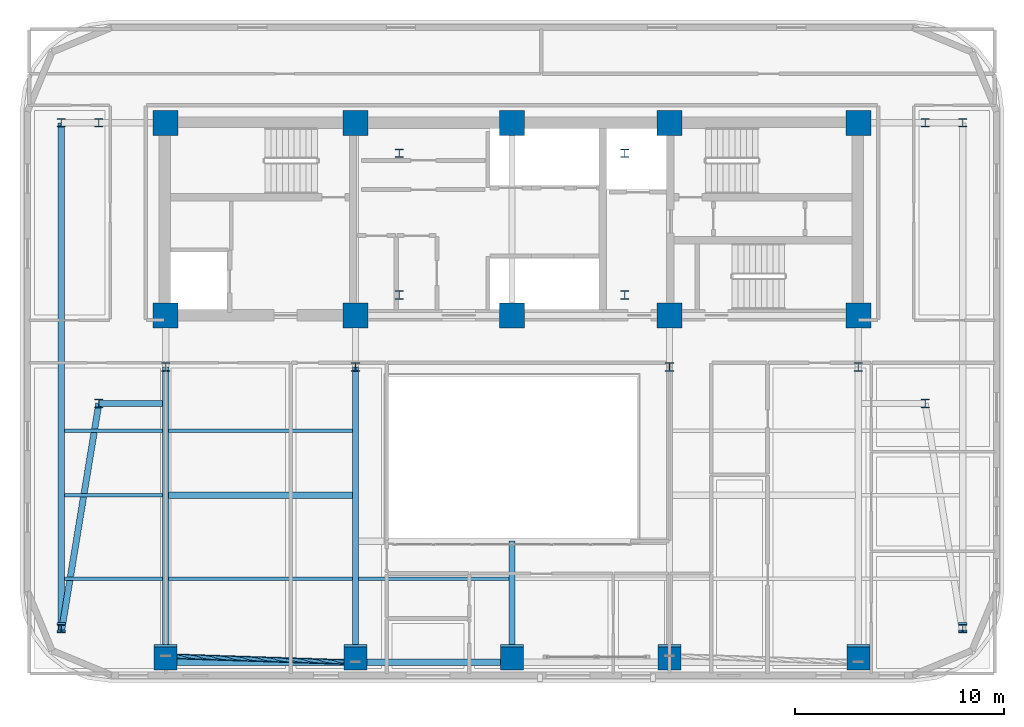
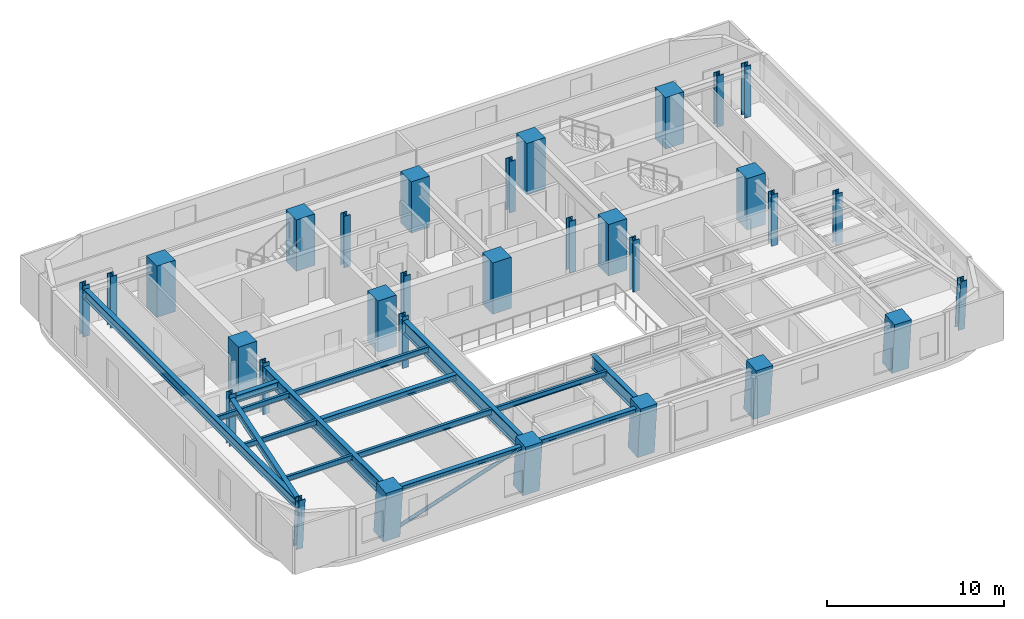
# One storey, part 1 of 13: 31 columns, 15 beams, 1 member.
"""IFC4 building model written with IfcOpenShell, lengths in metres."""

import ifcopenshell
import ifcopenshell.guid

model = None  # the IFC model being written
_history = None  # IfcOwnerHistory: only IFC2X3 demands one
_inside = {}  # id of a spatial element -> (the spatial element, [elements in it])
_under = {}  # id of a project, library or spatial element -> (it, [spatial elements below it])
_declared = {}  # id of a project -> (the project, [libraries it declares])
_typed = {}  # id of a type object -> (the type object, [elements of that type])
_made_of = {}  # id of a material, layer set ... -> (it, [elements and type objects made of it])


def new_model(schema):
    """Start an empty IFC model of exactly this schema.

    Asked for "IFC4X3", IfcOpenShell would pick the latest addendum, in which some entities
    have other attributes; the version numbers below select the first issue.
    IFC2X3 requires an IfcOwnerHistory on every rooted entity: one is made here for all.
    """
    global model, _history
    if schema == "IFC4X3":
        model = ifcopenshell.file(schema_version=(4, 3, 0, 0))
    else:
        model = ifcopenshell.file(schema=schema)
    _inside.clear()
    _under.clear()
    _declared.clear()
    _typed.clear()
    _made_of.clear()
    _history = None
    if model.schema == "IFC2X3":
        org = make("IfcOrganization", Name="unknown")
        user = make(
            "IfcPersonAndOrganization",
            ThePerson=make("IfcPerson", FamilyName="unknown"),
            TheOrganization=org,
        )
        app = make(
            "IfcApplication",
            ApplicationDeveloper=org,
            Version="unknown",
            ApplicationFullName="unknown",
            ApplicationIdentifier="unknown",
        )
        _history = make(
            "IfcOwnerHistory",
            OwningUser=user,
            OwningApplication=app,
            ChangeAction="ADDED",
            CreationDate=0,
        )
    return model


def make(cls, **values):
    """One entity of the class cls with the attributes given. An attribute that is None is left unset."""
    return model.create_entity(
        cls, **{name: value for name, value in values.items() if value is not None}
    )


def rooted(cls, **values):
    """An entity with a GlobalId (a new one), such as an element, a storey or a relation."""
    return make(cls, GlobalId=ifcopenshell.guid.new(), OwnerHistory=_history, **values)


def si_unit(unit_type, name, prefix=None):
    """IfcSIUnit, for example si_unit("LENGTHUNIT", "METRE", prefix="MILLI")."""
    return make("IfcSIUnit", UnitType=unit_type, Prefix=prefix, Name=name)


def assignment(units):
    """IfcUnitAssignment: the units of a project."""
    return None if units is None else make("IfcUnitAssignment", Units=units)


def point(xyz):
    """IfcCartesianPoint."""
    return None if xyz is None else make("IfcCartesianPoint", Coordinates=xyz)


def direction(xyz):
    """IfcDirection."""
    return None if xyz is None else make("IfcDirection", DirectionRatios=xyz)


def frame(location, z_axis=None, x_axis=None):
    """IfcAxis2Placement3D, a coordinate frame: its origin and axes. An axis left out is left unset."""
    return make(
        "IfcAxis2Placement3D",
        Location=point(location),
        Axis=direction(z_axis),
        RefDirection=direction(x_axis),
    )


def frame_2d(location, x_axis=None):
    """IfcAxis2Placement2D, a coordinate frame in the plane: its origin and x axis."""
    return make(
        "IfcAxis2Placement2D", Location=point(location), RefDirection=direction(x_axis)
    )


def origin():
    """The frame at (0, 0, 0) with its axes left unset."""
    return frame((0.0, 0.0, 0.0))


def origin_2d():
    """The frame at (0, 0) in the plane with its x axis left unset."""
    return frame_2d((0.0, 0.0))


def place(relative_to, where):
    """IfcLocalPlacement: puts the frame where relative to a parent placement (None: the world)."""
    return make(
        "IfcLocalPlacement", PlacementRelTo=relative_to, RelativePlacement=where
    )


def context(
    kind, dimensions, precision=None, world=None, true_north=None, identifier=None
):
    """IfcGeometricRepresentationContext, for example the 3D "Model" context."""
    return make(
        "IfcGeometricRepresentationContext",
        ContextIdentifier=identifier,
        ContextType=kind,
        CoordinateSpaceDimension=dimensions,
        Precision=precision,
        WorldCoordinateSystem=world,
        TrueNorth=true_north,
    )


def subcontext(parent, identifier, kind, view, scale=None):
    """IfcGeometricRepresentationSubContext, for example "Body" below "Model"."""
    return make(
        "IfcGeometricRepresentationSubContext",
        ContextIdentifier=identifier,
        ContextType=kind,
        ParentContext=parent,
        TargetScale=scale,
        TargetView=view,
    )


def project(units=None, contexts=None):
    """IfcProject with its units and contexts."""
    return rooted(
        "IfcProject",
        Name="project",
        RepresentationContexts=contexts,
        UnitsInContext=assignment(units),
    )


def spatial(cls, under=None, at=None, **own):
    """A site, building, storey or space (cls), placed at a placement, below another one or the project."""
    s = rooted(cls, ObjectPlacement=at, **own)
    if under is not None:
        _under.setdefault(under.id(), (under, []))[1].append(s)
    return s


def profile(cls, at=None, kind="AREA", **sizes):
    """A parametric profile (cls). Its sizes go by their IFC names, for example OverallWidth=200.0."""
    return make(cls, ProfileType=kind, Position=at, **sizes)


def rectangle(**sizes):
    """IfcRectangleProfileDef."""
    return profile("IfcRectangleProfileDef", **sizes)


def hollow_circle(**sizes):
    """IfcCircleHollowProfileDef."""
    return profile("IfcCircleHollowProfileDef", **sizes)


def i_section(**sizes):
    """IfcIShapeProfileDef."""
    return profile("IfcIShapeProfileDef", **sizes)


def extrude(swept, where, along, depth):
    """IfcExtrudedAreaSolid: the profile swept, set in the frame where, extruded along a direction by depth."""
    return make(
        "IfcExtrudedAreaSolid",
        SweptArea=swept,
        Position=where,
        ExtrudedDirection=direction(along),
        Depth=depth,
    )


def shape(context_of_items, identifier, shape_type, items):
    """IfcShapeRepresentation: the items that make up one representation, for example the "Body"."""
    return make(
        "IfcShapeRepresentation",
        ContextOfItems=context_of_items,
        RepresentationIdentifier=identifier,
        RepresentationType=shape_type,
        Items=items,
    )


def material(Name=None, Category=None):
    """IfcMaterial."""
    return make("IfcMaterial", Name=Name, Category=Category)


def material_profile(
    of_material, cross_section, Name=None, Category=None, Priority=None
):
    """IfcMaterialProfile: a cross section and its material."""
    return make(
        "IfcMaterialProfile",
        Name=Name,
        Material=of_material,
        Profile=cross_section,
        Priority=Priority,
        Category=Category,
    )


def profile_set(profiles, Name=None, composite=None):
    """IfcMaterialProfileSet."""
    return make(
        "IfcMaterialProfileSet",
        Name=Name,
        MaterialProfiles=profiles,
        CompositeProfile=composite,
    )


def made_of(thing, what):
    """Note that an element or type object is made of a material, layer set ...; save() writes the relation."""
    if what is not None:
        _made_of.setdefault(what.id(), (what, []))[1].append(thing)
    return thing


def type_object(cls, material=None, **own):
    """A type object (cls), such as IfcWallType, which elements share."""
    return made_of(rooted(cls, **own), material)


def element(
    cls,
    number,
    at=None,
    inside=None,
    cuts=None,
    type_object=None,
    material=None,
    context=None,
    identifier="Body",
    shape_type=None,
    held_by="IfcProductDefinitionShape",
    body=None,
    shapes=None,
    **own,
):
    """One element of the class cls, such as IfcWall. Its Tag is "e" and its number.

    at: its placement. inside: the storey or other place that contains it. cuts: it is an
    opening in that element (IfcRelVoidsElement). A single representation is given by context,
    identifier, shape_type and body (its items); several are given by shapes. held_by: the class
    of the entity that holds the representations. save() writes the other relations.
    """
    e = rooted(cls, Tag="e%d" % number, ObjectPlacement=at, **own)
    if body is not None:
        shapes = [shape(context, identifier, shape_type, body)]
    if shapes is not None:
        e.Representation = make(held_by, Representations=shapes)
    if inside is not None:
        _inside.setdefault(inside.id(), (inside, []))[1].append(e)
    if cuts is not None:
        rooted(
            "IfcRelVoidsElement", RelatingBuildingElement=cuts, RelatedOpeningElement=e
        )
    if type_object is not None:
        _typed.setdefault(type_object.id(), (type_object, []))[1].append(e)
    return made_of(e, material)


def aggregate(whole, parts):
    """IfcRelAggregates: a whole, such as a stair, and the parts it consists of."""
    return rooted("IfcRelAggregates", RelatingObject=whole, RelatedObjects=parts)


def save(model, path):
    """Write the relations noted so far, then the file.

    IfcRelAggregates (storeys below a building ...), IfcRelContainedInSpatialStructure (elements
    in a storey), IfcRelDefinesByType, IfcRelAssociatesMaterial and IfcRelDeclares: one each for
    every whole, place, type object, material and project.
    """
    for whole, parts in _under.values():
        aggregate(whole, parts)
    for where, things in _inside.values():
        rooted(
            "IfcRelContainedInSpatialStructure",
            RelatedElements=things,
            RelatingStructure=where,
        )
    for kind, things in _typed.values():
        rooted("IfcRelDefinesByType", RelatedObjects=things, RelatingType=kind)
    for what, things in _made_of.values():
        rooted("IfcRelAssociatesMaterial", RelatedObjects=things, RelatingMaterial=what)
    for by, libraries in _declared.values():
        rooted("IfcRelDeclares", RelatingContext=by, RelatedDefinitions=libraries)
    model.write(path)


model = new_model("IFC4")

# Units and contexts
model_context = context("Model", 3, precision=1e-05, world=origin(), true_north=direction((0.0, 1.0)))
body_context = subcontext(model_context, "Body", "Model", "MODEL_VIEW")
ifc_project = project(units=[si_unit("LENGTHUNIT", "METRE"), si_unit("AREAUNIT", "SQUARE_METRE"), si_unit("VOLUMEUNIT", "CUBIC_METRE"), si_unit("PLANEANGLEUNIT", "RADIAN"), si_unit("MASSUNIT", "GRAM", prefix="KILO")], contexts=[model_context])

# Site, building, storey
site_placement = place(None, origin())
site = spatial("IfcSite", under=ifc_project, at=site_placement, CompositionType="ELEMENT")
building_placement = place(site_placement, origin())
building = spatial("IfcBuilding", under=site, at=building_placement, Name="Zarnavel Station Tower", CompositionType="ELEMENT")
storey_placement = place(building_placement, frame((0.0, 0.0, 162.550048828125)))
storey = spatial("IfcBuildingStorey", under=building, at=storey_placement, Name="L44", CompositionType="ELEMENT", Elevation=162.550048828125)

# Columns
ifc_material_1 = material(Name="Steel S355J2", Category="steel")
ifc_material_profile_1 = material_profile(ifc_material_1, i_section(OverallWidth=0.4130859375, OverallDepth=0.4150390625, WebThickness=0.030029296875, FlangeThickness=0.047119140625, FilletRadius=0.014892578125, at=origin_2d()), Name="HD400x347")
ifc_profile_set_1 = profile_set([ifc_material_profile_1], Name="Steel S355J2")
column_type_1 = type_object("IfcColumnType", Name="EC_HD347", PredefinedType="COLUMN", material=ifc_profile_set_1)
column_1_placement = place(storey_placement, frame((7.199951171875, 12.89599609375, 0.0), z_axis=(0.0, -0.079862380324, 0.996805898964), x_axis=(1.0, 0.0, 0.0)))
element("IfcColumn", 1, at=column_1_placement, inside=storey, type_object=column_type_1, Name="L44 Raked Wing Column 1", PredefinedType="COLUMN", context=body_context, shape_type="SweptSolid", body=[
    extrude(i_section(OverallWidth=0.4130859375, OverallDepth=0.4150390625, WebThickness=0.030029296875, FlangeThickness=0.047119140625, FilletRadius=0.014892578125, at=origin_2d()), origin(), (0.0, 0.0, 1.0), 3.5615234375),
])
column_2_placement = place(storey_placement, frame((7.199951171875, 37.050048828125, 0.0), z_axis=(0.0, 0.0, 1.0), x_axis=(1.0, 0.0, 0.0)))
element("IfcColumn", 2, at=column_2_placement, inside=storey, type_object=column_type_1, Name="L44 Outer Wing North Column 1", PredefinedType="COLUMN", context=body_context, shape_type="SweptSolid", body=[
    extrude(i_section(OverallWidth=0.4130859375, OverallDepth=0.4150390625, WebThickness=0.030029296875, FlangeThickness=0.047119140625, FilletRadius=0.014892578125, at=origin_2d()), origin(), (0.0, 0.0, 1.0), 3.550048828125),
])
column_3_placement = place(storey_placement, frame((50.39990234375, 12.89599609375, 0.0), z_axis=(0.0, -0.079862380324, 0.996805898964), x_axis=(1.0, 0.0, 0.0)))
element("IfcColumn", 3, at=column_3_placement, inside=storey, type_object=column_type_1, Name="L44 Raked Wing Column 2", PredefinedType="COLUMN", context=body_context, shape_type="SweptSolid", body=[
    extrude(i_section(OverallWidth=0.4130859375, OverallDepth=0.4150390625, WebThickness=0.030029296875, FlangeThickness=0.047119140625, FilletRadius=0.014892578125, at=origin_2d()), origin(), (0.0, 0.0, 1.0), 3.5615234375),
])
column_4_placement = place(storey_placement, frame((50.39990234375, 37.050048828125, 0.0), z_axis=(0.0, 0.0, 1.0), x_axis=(1.0, 0.0, 0.0)))
element("IfcColumn", 4, at=column_4_placement, inside=storey, type_object=column_type_1, Name="L44 Outer Wing North Column 2", PredefinedType="COLUMN", context=body_context, shape_type="SweptSolid", body=[
    extrude(i_section(OverallWidth=0.4130859375, OverallDepth=0.4150390625, WebThickness=0.030029296875, FlangeThickness=0.047119140625, FilletRadius=0.014892578125, at=origin_2d()), origin(), (0.0, 0.0, 1.0), 3.550048828125),
])
ifc_material_2 = material(Name="Steel S355J2", Category="steel")
ifc_material_profile_2 = material_profile(ifc_material_2, i_section(OverallWidth=0.4130859375, OverallDepth=0.4150390625, WebThickness=0.030029296875, FlangeThickness=0.047119140625, FilletRadius=0.014892578125, at=origin_2d()), Name="HD400x347")
ifc_profile_set_2 = profile_set([ifc_material_profile_2], Name="Steel S355J2")
column_type_2 = type_object("IfcColumnType", Name="IC_HD347", PredefinedType="COLUMN", material=ifc_profile_set_2)
for number, where, z_axis, x_axis, name in (
    (5, (23.39990234375, 28.800048828125, 0.0), (0.0, 0.0, 1.0), (1.0, 0.0, 0.0), "L44 Mast Spine Column 1"),
    (6, (34.199951171875, 28.800048828125, 0.0), (0.0, 0.0, 1.0), (1.0, 0.0, 0.0), "L44 Mast Spine Column 2"),
    (7, (34.199951171875, 35.60009765625, 0.0), (0.0, 0.0, 1.0), (1.0, 0.0, 0.0), "L44 Mast Spine Column 3"),
    (8, (23.39990234375, 35.60009765625, 0.0), (0.0, 0.0, 1.0), (1.0, 0.0, 0.0), "L44 Mast Spine Column 4"),
    (9, (12.199951171875, 25.35009765625, 0.0), (0.0, 0.0, 1.0), (1.0, 0.0, 0.0), "L44 Inner Spine Column 1"),
    (10, (21.300048828125, 25.35009765625, 0.0), (0.0, 0.0, 1.0), (1.0, 0.0, 0.0), "L44 Inner Spine Column 2"),
    (11, (36.35009765625, 25.35009765625, 0.0), (0.0, 0.0, 1.0), (1.0, 0.0, 0.0), "L44 Inner Spine Column 4"),
    (12, (45.39990234375, 25.35009765625, 0.0), (0.0, 0.0, 1.0), (1.0, 0.0, 0.0), "L44 Inner Spine Column 5"),
    (13, (9.0, 23.60009765625, 0.0), (0.0, 0.0, 1.0), (1.0, 0.0, 0.0), "L44 Inner Wing Spine Column 1-1"),
    (14, (9.0, 37.050048828125, 0.0), (0.0, 0.0, 1.0), (1.0, 0.0, 0.0), "L44 Inner Wing Spine Column 1-2"),
    (15, (48.60009765625, 23.60009765625, 0.0), (0.0, 0.0, 1.0), (1.0, 0.0, 0.0), "L44 Inner Wing Spine Column 2-1"),
    (16, (48.60009765625, 37.050048828125, 0.0), (0.0, 0.0, 1.0), (1.0, 0.0, 0.0), "L44 Inner Wing Spine Column 2-2"),
):
    element("IfcColumn", number, at=place(storey_placement, frame(where, z_axis=z_axis, x_axis=x_axis)), inside=storey, type_object=column_type_2, Name=name, PredefinedType="COLUMN", context=body_context, shape_type="SweptSolid", body=[
        extrude(i_section(OverallWidth=0.4130859375, OverallDepth=0.4150390625, WebThickness=0.030029296875, FlangeThickness=0.047119140625, FilletRadius=0.014892578125, at=origin_2d()), origin(), (0.0, 0.0, 1.0), 3.550048828125),
    ])
ifc_material_3 = material(Name="Concrete C50/60", Category="concrete")
ifc_material_profile_3 = material_profile(ifc_material_3, rectangle(XDim=1.199951171875, YDim=1.199951171875, at=origin_2d()), Name="RC1200x1200")
ifc_profile_set_3 = profile_set([ifc_material_profile_3], Name="Concrete C50/60")
column_type_3 = type_object("IfcColumnType", Name="IC_RC1200", PredefinedType="COLUMN", material=ifc_profile_set_3)
for number, where, z_axis, x_axis, name in (
    (17, (12.199951171875, 27.820068359375, 0.0), (0.0, 0.0, 1.0), (1.0, 0.0, 0.0), "L44 Core Spine Column 1-1"),
    (18, (12.199951171875, 37.050048828125, 0.0), (0.0, 0.0, 1.0), (1.0, 0.0, 0.0), "L44 Core Spine Column 1-2"),
    (19, (21.300048828125, 27.820068359375, 0.0), (0.0, 0.0, 1.0), (1.0, 0.0, 0.0), "L44 Core Spine Column 2-1"),
    (20, (21.300048828125, 37.050048828125, 0.0), (0.0, 0.0, 1.0), (1.0, 0.0, 0.0), "L44 Core Spine Column 2-2"),
    (21, (28.800048828125, 27.820068359375, 0.0), (0.0, 0.0, 1.0), (1.0, 0.0, 0.0), "L44 Core Spine Column 3-1"),
    (22, (28.800048828125, 37.050048828125, 0.0), (0.0, 0.0, 1.0), (1.0, 0.0, 0.0), "L44 Core Spine Column 3-2"),
    (23, (36.35009765625, 27.820068359375, 0.0), (0.0, 0.0, 1.0), (1.0, 0.0, 0.0), "L44 Core Spine Column 4-1"),
    (24, (36.35009765625, 37.050048828125, 0.0), (0.0, 0.0, 1.0), (1.0, 0.0, 0.0), "L44 Core Spine Column 4-2"),
    (25, (45.39990234375, 27.820068359375, 0.0), (0.0, 0.0, 1.0), (1.0, 0.0, 0.0), "L44 Core Spine Column 5-1"),
    (26, (45.39990234375, 37.050048828125, 0.0), (0.0, 0.0, 1.0), (1.0, 0.0, 0.0), "L44 Core Spine Column 5-2"),
):
    element("IfcColumn", number, at=place(storey_placement, frame(where, z_axis=z_axis, x_axis=x_axis)), inside=storey, type_object=column_type_3, Name=name, PredefinedType="COLUMN", context=body_context, shape_type="SweptSolid", body=[
        extrude(rectangle(XDim=1.199951171875, YDim=1.199951171875, at=origin_2d()), origin(), (0.0, 0.0, 1.0), 3.550048828125),
    ])
ifc_material_4 = material(Name="Concrete C50/60", Category="concrete")
ifc_material_profile_4 = material_profile(ifc_material_4, rectangle(XDim=1.10009765625, YDim=1.10009765625, at=origin_2d()), Name="RC1100x1100")
ifc_profile_set_4 = profile_set([ifc_material_profile_4], Name="Concrete C50/60")
column_type_4 = type_object("IfcColumnType", Name="MC_RC1100", PredefinedType="COLUMN", material=ifc_profile_set_4)
for number, where, z_axis, x_axis, name in (
    (27, (12.199951171875, 11.497802734375, 0.0), (0.0, -0.0902702026, 0.995917311087), (1.0, 0.0, 0.0), "L44 Raked South Mega-Column 1"),
    (28, (21.300048828125, 11.497802734375, 0.0), (0.0, -0.0902702026, 0.995917311087), (1.0, 0.0, 0.0), "L44 Raked South Mega-Column 2"),
    (29, (28.800048828125, 11.497802734375, 0.0), (0.0, -0.0902702026, 0.995917311087), (1.0, 0.0, 0.0), "L44 Raked South Mega-Column 3"),
    (30, (36.35009765625, 11.497802734375, 0.0), (0.0, -0.0902702026, 0.995917311087), (1.0, 0.0, 0.0), "L44 Raked South Mega-Column 4"),
    (31, (45.39990234375, 11.497802734375, 0.0), (0.0, -0.0902702026, 0.995917311087), (1.0, 0.0, 0.0), "L44 Raked South Mega-Column 5"),
):
    element("IfcColumn", number, at=place(storey_placement, frame(where, z_axis=z_axis, x_axis=x_axis)), inside=storey, type_object=column_type_4, Name=name, PredefinedType="COLUMN", context=body_context, shape_type="SweptSolid", body=[
        extrude(rectangle(XDim=1.10009765625, YDim=1.10009765625, at=origin_2d()), origin(), (0.0, 0.0, 1.0), 3.564697265625),
    ])

# Member
ifc_material_5 = material(Name="Steel S355J2", Category="steel")
ifc_material_profile_5 = material_profile(ifc_material_5, hollow_circle(Radius=0.122314453125, WallThickness=0.010009765625, at=origin_2d()), Name="CHS244.5x10")
ifc_profile_set_5 = profile_set([ifc_material_profile_5], Name="Steel S355J2")
member_type = type_object("IfcMemberType", Name="DB_EXT_CHS245", PredefinedType="BRACE", material=ifc_profile_set_5)
member_placement = place(storey_placement, frame((12.199951171875, 11.497802734375, 0.0), z_axis=(0.93997940641, -0.030791298364, 0.339839096442), x_axis=(0.032739857023, 0.999463907183, 0.0)))
element("IfcMember", 32, at=member_placement, inside=storey, type_object=member_type, Name="L44 Persian Exterior Diagonal Frame Brace 1", PredefinedType="BRACE", context=body_context, shape_type="SweptSolid", body=[
    extrude(hollow_circle(Radius=0.122314453125, WallThickness=0.010009765625, at=origin_2d()), origin(), (0.0, 0.0, 1.0), 9.68115234375),
])

# Beams
ifc_material_6 = material(Name="Steel S355J2", Category="steel")
ifc_material_profile_6 = material_profile(ifc_material_6, i_section(OverallWidth=0.300048828125, OverallDepth=0.360107421875, WebThickness=0.012451171875, FlangeThickness=0.0224609375, FilletRadius=0.027099609375, at=origin_2d()), Name="HEB360")
ifc_profile_set_6 = profile_set([ifc_material_profile_6], Name="Steel S355J2")
beam_type_1 = type_object("IfcBeamType", Name="EB_HEB360", PredefinedType="SPANDREL", material=ifc_profile_set_6)
beam_1_placement = place(storey_placement, frame((12.199951171875, 11.19970703125, 3.10986328125), z_axis=(1.0, 0.0, 0.0), x_axis=(0.0, 1.0, 0.0)))
element("IfcBeam", 33, at=beam_1_placement, inside=storey, type_object=beam_type_1, Name="L44 South Raked Spandrel 1", PredefinedType="SPANDREL", context=body_context, shape_type="SweptSolid", body=[
    extrude(i_section(OverallWidth=0.300048828125, OverallDepth=0.360107421875, WebThickness=0.012451171875, FlangeThickness=0.0224609375, FilletRadius=0.027099609375, at=origin_2d()), origin(), (0.0, 0.0, 1.0), 9.10009765625),
])
beam_2_placement = place(storey_placement, frame((21.300048828125, 11.19970703125, 3.10986328125), z_axis=(1.0, 0.0, 0.0), x_axis=(0.0, 1.0, 0.0)))
element("IfcBeam", 34, at=beam_2_placement, inside=storey, type_object=beam_type_1, Name="L44 South Raked Spandrel 2", PredefinedType="SPANDREL", context=body_context, shape_type="SweptSolid", body=[
    extrude(i_section(OverallWidth=0.300048828125, OverallDepth=0.360107421875, WebThickness=0.012451171875, FlangeThickness=0.0224609375, FilletRadius=0.027099609375, at=origin_2d()), origin(), (0.0, 0.0, 1.0), 7.5),
])
ifc_material_7 = material(Name="Steel S355J2", Category="steel")
ifc_material_profile_7 = material_profile(ifc_material_7, i_section(OverallWidth=0.300048828125, OverallDepth=0.389892578125, WebThickness=0.010986328125, FlangeThickness=0.01904296875, FilletRadius=0.027099609375, at=origin_2d()), Name="HEA400")
ifc_profile_set_7 = profile_set([ifc_material_profile_7], Name="Steel S355J2")
beam_type_2 = type_object("IfcBeamType", Name="FB_HEA400", PredefinedType="BEAM", material=ifc_profile_set_7)
beam_3_placement = place(storey_placement, frame((12.344970703125, 19.19970703125, 3.094970703125), z_axis=(1.0, 0.0, 0.0), x_axis=(0.0, 1.0, 0.0)))
element("IfcBeam", 35, at=beam_3_placement, inside=storey, type_object=beam_type_2, Name="L44 West Bay Beam 2", PredefinedType="BEAM", context=body_context, shape_type="SweptSolid", body=[
    extrude(i_section(OverallWidth=0.300048828125, OverallDepth=0.389892578125, WebThickness=0.010986328125, FlangeThickness=0.01904296875, FilletRadius=0.027099609375, at=origin_2d()), origin(), (0.0, 0.0, 1.0), 8.81005859375),
])
ifc_material_8 = material(Name="Steel S355J2", Category="steel")
ifc_material_profile_8 = material_profile(ifc_material_8, i_section(OverallWidth=0.179931640625, OverallDepth=0.39990234375, WebThickness=0.008544921875, FlangeThickness=0.013427734375, FilletRadius=0.02099609375, at=origin_2d()), Name="IPE400")
ifc_profile_set_8 = profile_set([ifc_material_profile_8], Name="Steel S355J2")
beam_type_3 = type_object("IfcBeamType", Name="FB_IPE400", PredefinedType="BEAM", material=ifc_profile_set_8)
for number, where, z_axis, x_axis, name in (
    (36, (12.344970703125, 15.19970703125, 3.08984375), (1.0, 0.0, 0.0), (0.0, 1.0, 0.0), "L44 West Bay Beam 1"),
    (37, (12.344970703125, 22.2998046875, 3.08984375), (1.0, 0.0, 0.0), (0.0, 1.0, 0.0), "L44 West Bay Beam 3"),
):
    element("IfcBeam", number, at=place(storey_placement, frame(where, z_axis=z_axis, x_axis=x_axis)), inside=storey, type_object=beam_type_3, Name=name, PredefinedType="BEAM", context=body_context, shape_type="SweptSolid", body=[
        extrude(i_section(OverallWidth=0.179931640625, OverallDepth=0.39990234375, WebThickness=0.008544921875, FlangeThickness=0.013427734375, FilletRadius=0.02099609375, at=origin_2d()), origin(), (0.0, 0.0, 1.0), 8.81005859375),
    ])
ifc_material_9 = material(Name="Steel S355J2", Category="steel")
ifc_material_profile_9 = material_profile(ifc_material_9, i_section(OverallWidth=0.300048828125, OverallDepth=0.5, WebThickness=0.014404296875, FlangeThickness=0.028076171875, FilletRadius=0.027099609375, at=origin_2d()), Name="HEB500")
ifc_profile_set_9 = profile_set([ifc_material_profile_9], Name="Steel S355J2")
beam_type_4 = type_object("IfcBeamType", Name="FG_HEB500", PredefinedType="USERDEFINED", material=ifc_profile_set_9)
beam_4_placement = place(storey_placement, frame((7.199951171875, 12.63232421875, 3.0400390625), z_axis=(0.161954919785, 0.986798157658, 0.0), x_axis=(-0.986798157658, 0.161954919785, 0.0)))
element("IfcBeam", 38, at=beam_4_placement, inside=storey, type_object=beam_type_4, Name="L44 West Wing South Tie 1", ObjectType="GIRDER", PredefinedType="USERDEFINED", context=body_context, shape_type="SweptSolid", body=[
    extrude(i_section(OverallWidth=0.300048828125, OverallDepth=0.5, WebThickness=0.014404296875, FlangeThickness=0.028076171875, FilletRadius=0.027099609375, at=origin_2d()), origin(), (0.0, 0.0, 1.0), 11.114501953125),
])
beam_5_placement = place(storey_placement, frame((9.0, 23.60009765625, 3.0400390625), z_axis=(1.0, 0.0, 0.0), x_axis=(0.0, 1.0, 0.0)))
element("IfcBeam", 39, at=beam_5_placement, inside=storey, type_object=beam_type_4, Name="L44 West Wing South Tie 2", ObjectType="GIRDER", PredefinedType="USERDEFINED", context=body_context, shape_type="SweptSolid", body=[
    extrude(i_section(OverallWidth=0.300048828125, OverallDepth=0.5, WebThickness=0.014404296875, FlangeThickness=0.028076171875, FilletRadius=0.027099609375, at=origin_2d()), origin(), (0.0, 0.0, 1.0), 3.054931640625),
])
ifc_material_10 = material(Name="Steel S355J2", Category="steel")
ifc_material_profile_10 = material_profile(ifc_material_10, i_section(OverallWidth=0.300048828125, OverallDepth=0.64990234375, WebThickness=0.01611328125, FlangeThickness=0.031005859375, FilletRadius=0.027099609375, at=origin_2d()), Name="HEB650")
ifc_profile_set_10 = profile_set([ifc_material_profile_10], Name="Steel S355J2")
beam_type_5 = type_object("IfcBeamType", Name="FG_HEB650", PredefinedType="USERDEFINED", material=ifc_profile_set_10)
beam_6_placement = place(storey_placement, frame((7.199951171875, 12.63232421875, 2.96484375), z_axis=(0.0, 1.0, 0.0), x_axis=(-1.0, 0.0, 0.0)))
element("IfcBeam", 40, at=beam_6_placement, inside=storey, type_object=beam_type_5, Name="L44 Wing NS Girder 1", ObjectType="GIRDER", PredefinedType="USERDEFINED", context=body_context, shape_type="SweptSolid", body=[
    extrude(i_section(OverallWidth=0.300048828125, OverallDepth=0.64990234375, WebThickness=0.01611328125, FlangeThickness=0.031005859375, FilletRadius=0.027099609375, at=origin_2d()), origin(), (0.0, 0.0, 1.0), 24.417724609375),
])
ifc_material_11 = material(Name="Steel S355J2", Category="steel")
ifc_material_profile_11 = material_profile(ifc_material_11, i_section(OverallWidth=0.169921875, OverallDepth=0.360107421875, WebThickness=0.008056640625, FlangeThickness=0.0126953125, FilletRadius=0.01806640625, at=origin_2d()), Name="IPE360")
ifc_profile_set_11 = profile_set([ifc_material_profile_11], Name="Steel S355J2")
beam_type_6 = type_object("IfcBeamType", Name="FJ_IPE360", PredefinedType="JOIST", material=ifc_profile_set_11)
beam_7_placement = place(storey_placement, frame((21.445068359375, 15.19970703125, 3.10986328125), z_axis=(1.0, 0.0, 0.0), x_axis=(0.0, 1.0, 0.0)))
element("IfcBeam", 41, at=beam_7_placement, inside=storey, type_object=beam_type_6, Name="L44 Mid-West Joist 1", PredefinedType="JOIST", context=body_context, shape_type="SweptSolid", body=[
    extrude(i_section(OverallWidth=0.169921875, OverallDepth=0.360107421875, WebThickness=0.008056640625, FlangeThickness=0.0126953125, FilletRadius=0.01806640625, at=origin_2d()), origin(), (0.0, 0.0, 1.0), 7.2099609375),
])
for number, where, z_axis, x_axis, name in (
    (42, (7.344970703125, 15.19970703125, 3.10986328125), (1.0, 0.0, 0.0), (0.0, 1.0, 0.0), "L44 West Wing Joist 1"),
    (43, (7.344970703125, 19.19970703125, 3.10986328125), (1.0, 0.0, 0.0), (0.0, 1.0, 0.0), "L44 West Wing Joist 2"),
    (44, (7.344970703125, 22.2998046875, 3.10986328125), (1.0, 0.0, 0.0), (0.0, 1.0, 0.0), "L44 West Wing Joist 3"),
):
    element("IfcBeam", number, at=place(storey_placement, frame(where, z_axis=z_axis, x_axis=x_axis)), inside=storey, type_object=beam_type_6, Name=name, PredefinedType="JOIST", context=body_context, shape_type="SweptSolid", body=[
        extrude(i_section(OverallWidth=0.169921875, OverallDepth=0.360107421875, WebThickness=0.008056640625, FlangeThickness=0.0126953125, FilletRadius=0.01806640625, at=origin_2d()), origin(), (0.0, 0.0, 1.0), 4.7099609375),
    ])
ifc_material_12 = material(Name="Steel S460M", Category="steel")
ifc_material_profile_12 = material_profile(ifc_material_12, i_section(OverallWidth=0.302001953125, OverallDepth=0.909912109375, WebThickness=0.02099609375, FlangeThickness=0.0400390625, FilletRadius=0.030029296875, at=origin_2d()), Name="HEM900")
ifc_profile_set_12 = profile_set([ifc_material_profile_12], Name="Steel S460M")
beam_type_7 = type_object("IfcBeamType", Name="TG_HEM900", PredefinedType="USERDEFINED", material=ifc_profile_set_12)
for number, where, z_axis, x_axis, name in (
    (45, (12.199951171875, 11.19970703125, 2.8349609375), (0.0, 1.0, 0.0), (-1.0, 0.0, 0.0), "L44 South-Zone NS Girder 1"),
    (46, (21.300048828125, 11.19970703125, 2.8349609375), (0.0, 1.0, 0.0), (-1.0, 0.0, 0.0), "L44 South-Zone NS Girder 2"),
):
    element("IfcBeam", number, at=place(storey_placement, frame(where, z_axis=z_axis, x_axis=x_axis)), inside=storey, type_object=beam_type_7, Name=name, ObjectType="GIRDER", PredefinedType="USERDEFINED", context=body_context, shape_type="SweptSolid", body=[
        extrude(i_section(OverallWidth=0.302001953125, OverallDepth=0.909912109375, WebThickness=0.02099609375, FlangeThickness=0.0400390625, FilletRadius=0.030029296875, at=origin_2d()), origin(), (0.0, 0.0, 1.0), 14.150390625),
    ])
beam_8_placement = place(storey_placement, frame((28.800048828125, 11.19970703125, 2.8349609375), z_axis=(0.0, 1.0, 0.0), x_axis=(-1.0, 0.0, 0.0)))
element("IfcBeam", 47, at=beam_8_placement, inside=storey, type_object=beam_type_7, Name="L44 Central Atrium-South Girder", ObjectType="GIRDER", PredefinedType="USERDEFINED", context=body_context, shape_type="SweptSolid", body=[
    extrude(i_section(OverallWidth=0.302001953125, OverallDepth=0.909912109375, WebThickness=0.02099609375, FlangeThickness=0.0400390625, FilletRadius=0.030029296875, at=origin_2d()), origin(), (0.0, 0.0, 1.0), 5.80029296875),
])

save(model, "model.ifc")
